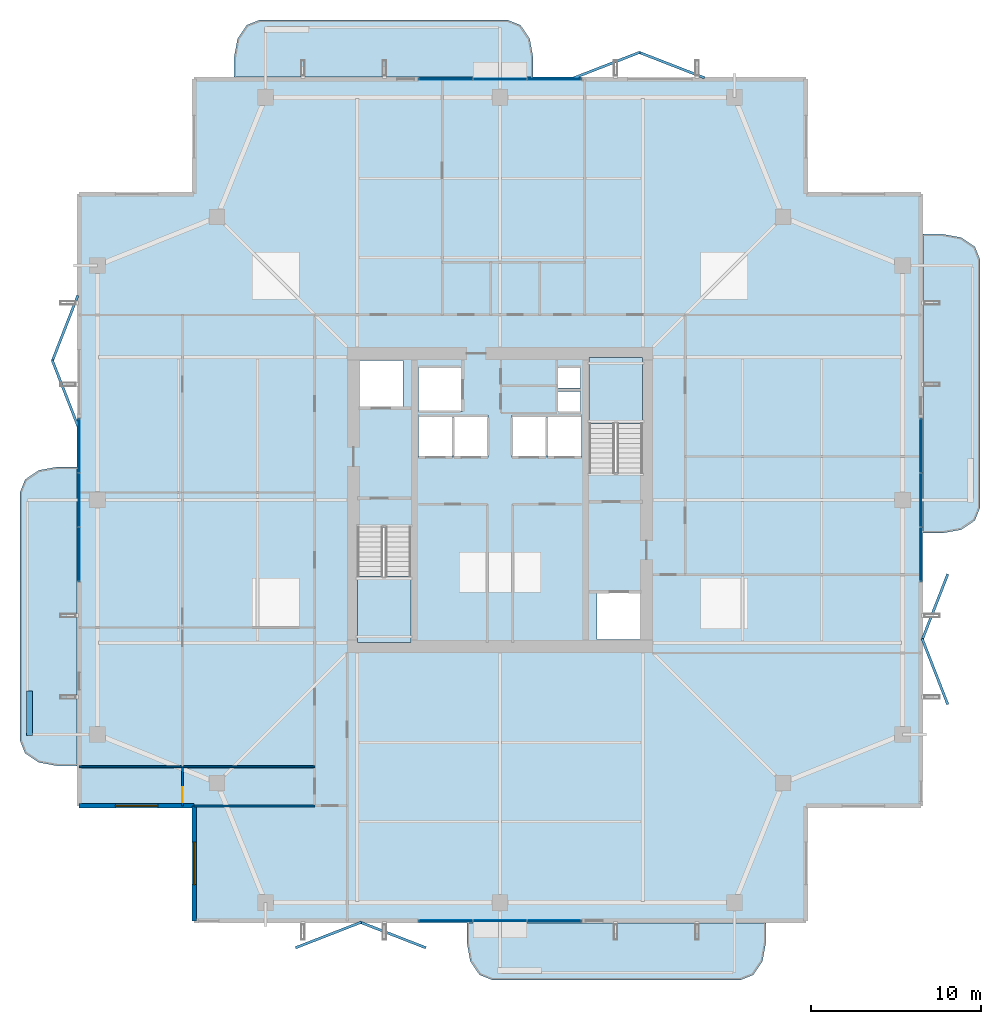
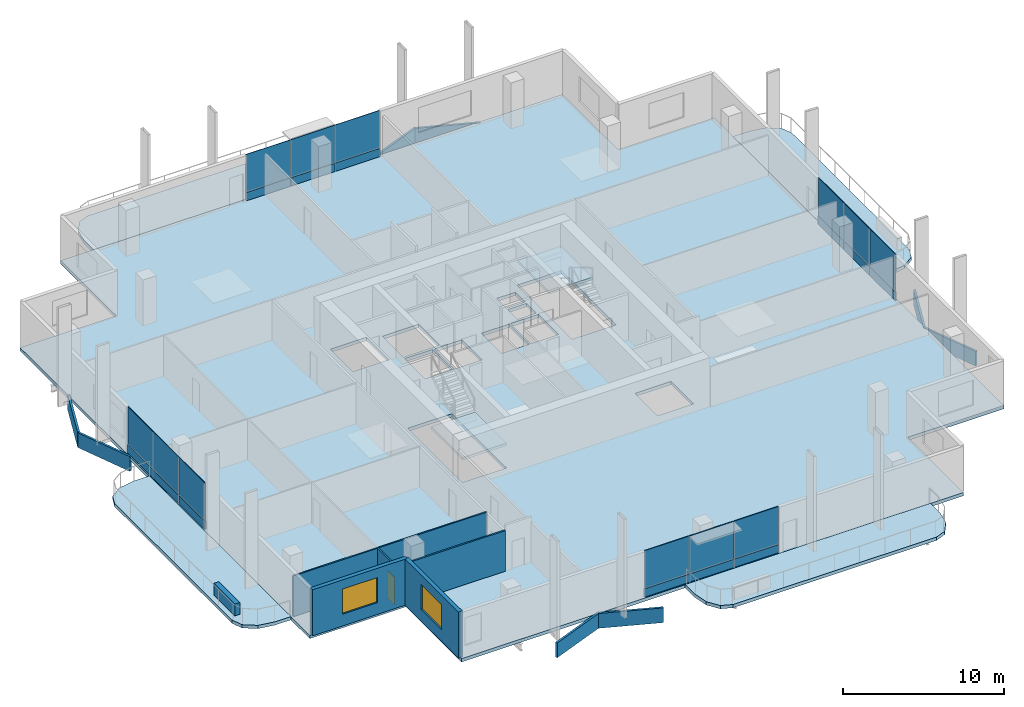
# One storey, part 17 of 25: 32 plates, 7 slabs, 6 walls, 2 windows, 1 door, 3 openings, 6 elements without a shape of their own.
"""IFC4 building model written with IfcOpenShell, lengths in metres."""

from ifc_helpers import new_model, si_unit, direction, frame, frame_2d, origin, origin_2d, place, context, subcontext, project, spatial, polyline, rectangle, outline, extrude, material, layer, layer_set, type_object, element, fill, aggregate, save


model = new_model("IFC4")

# Units and contexts
model_context = context("Model", 3, precision=1e-05, world=origin(), true_north=direction((0.0, 1.0)))
body_context = subcontext(model_context, "Body", "Model", "MODEL_VIEW")
ifc_project = project(units=[si_unit("LENGTHUNIT", "METRE"), si_unit("AREAUNIT", "SQUARE_METRE"), si_unit("VOLUMEUNIT", "CUBIC_METRE"), si_unit("PLANEANGLEUNIT", "RADIAN"), si_unit("MASSUNIT", "GRAM", prefix="KILO")], contexts=[model_context])

# Site, building, storey
site_placement = place(None, origin())
site = spatial("IfcSite", under=ifc_project, at=site_placement, CompositionType="ELEMENT")
building_placement = place(site_placement, origin())
building = spatial("IfcBuilding", under=site, at=building_placement, Name="Belovzor Exchange Tower", CompositionType="ELEMENT")
storey_placement = place(building_placement, frame((0.0, 0.0, 257.85009765625)))
storey = spatial("IfcBuildingStorey", under=building, at=storey_placement, Name="L64", CompositionType="ELEMENT", Elevation=257.85009765625)

# Slab
ifc_material_1 = material(Name="Concrete C40/50", Category="concrete")
ifc_layer_1 = layer(ifc_material_1, 0.25)
ifc_layer_set_1 = layer_set([ifc_layer_1], Name="Concrete C40/50")
slab_type_1 = type_object("IfcSlabType", Name="Composite Concrete Floor Deck Slab 250", PredefinedType="FLOOR", material=ifc_layer_set_1)
slab_1_placement = place(storey_placement, frame((0.0, 0.0, -0.25)))
element("IfcSlab", 1, at=slab_1_placement, inside=storey, type_object=slab_type_1, Name="SL-F250 Structural Slab L64", PredefinedType="FLOOR", context=body_context, shape_type="SweptSolid", body=[
    extrude(outline(polyline([(10.800048828125, 3.89990234375), (46.800048828125, 3.89990234375), (46.800048828125, 10.800048828125), (53.699951171875, 10.800048828125), (53.699951171875, 46.800048828125), (46.800048828125, 46.800048828125), (46.800048828125, 53.699951171875), (10.800048828125, 53.699951171875), (10.800048828125, 46.800048828125), (3.89990234375, 46.800048828125), (3.89990234375, 10.800048828125), (10.800048828125, 10.800048828125), (10.800048828125, 3.89990234375)]), holes=[polyline([(20.39990234375, 27.175048828125), (20.39990234375, 20.39990234375), (23.550048828125, 20.39990234375), (23.550048828125, 27.175048828125), (20.39990234375, 27.175048828125)]), polyline([(37.199951171875, 30.425048828125), (37.199951171875, 37.199951171875), (34.050048828125, 37.199951171875), (34.050048828125, 30.425048828125), (37.199951171875, 30.425048828125)]), polyline([(20.5, 34.199951171875), (23.10009765625, 34.199951171875), (23.10009765625, 37.0), (20.5, 37.0), (20.5, 34.199951171875)]), polyline([(34.5, 20.60009765625), (37.10009765625, 20.60009765625), (37.10009765625, 23.39990234375), (34.5, 23.39990234375), (34.5, 20.60009765625)]), polyline([(24.0, 34.0), (26.60009765625, 34.0), (26.60009765625, 36.60009765625), (24.0, 36.60009765625), (24.0, 34.0)]), polyline([(24.0, 31.300048828125), (26.0, 31.300048828125), (26.0, 33.800048828125), (24.0, 33.800048828125), (24.0, 31.300048828125)]), polyline([(26.10009765625, 31.300048828125), (28.10009765625, 31.300048828125), (28.10009765625, 33.800048828125), (26.10009765625, 33.800048828125), (26.10009765625, 31.300048828125)]), polyline([(29.5, 31.300048828125), (31.5, 31.300048828125), (31.5, 33.800048828125), (29.5, 33.800048828125), (29.5, 31.300048828125)]), polyline([(31.60009765625, 31.300048828125), (33.60009765625, 31.300048828125), (33.60009765625, 33.800048828125), (31.60009765625, 33.800048828125), (31.60009765625, 31.300048828125)]), polyline([(32.199951171875, 34.0), (33.550048828125, 34.0), (33.550048828125, 35.199951171875), (32.199951171875, 35.199951171875), (32.199951171875, 34.0)]), polyline([(32.199951171875, 35.39990234375), (33.550048828125, 35.39990234375), (33.550048828125, 36.60009765625), (32.199951171875, 36.60009765625), (32.199951171875, 35.39990234375)])]), origin(), (0.0, 0.0, 1.0), 0.25),
])

# Curtain wall, plates
ifc_material_2 = material(Name="Anodised Aluminium Framing", Category="aluminium")
ifc_layer_2 = layer(ifc_material_2, 0.179931640625)
ifc_layer_set_2 = layer_set([ifc_layer_2], Name="Anodised Aluminium Framing")
curtain_wall_type = type_object("IfcCurtainWallType", Name="Recessed Loggia Low-Iron Triple-Glazed Curtain Wall", PredefinedType="NOTDEFINED", material=ifc_layer_set_2)
curtain_wall_1_placement = place(storey_placement, origin())
curtain_wall_1 = element("IfcCurtainWall", 2, at=curtain_wall_1_placement, inside=storey, type_object=curtain_wall_type, Name="CW3 Recessed Loggia Low-Iron Triple-Glazed Curtain Wall L64", PredefinedType="NOTDEFINED")
ifc_material_3 = material(Name="Solar-Control Triple Glazing", Category="glass")
ifc_layer_3 = layer(ifc_material_3, 0.0439453125)
ifc_layer_set_3 = layer_set([ifc_layer_3], Name="Solar-Control Triple Glazing")
plate_type_1 = type_object("IfcPlateType", Name="Insulated Solar Glazing Curtain Panel 44", PredefinedType="CURTAIN_PANEL", material=ifc_layer_set_3)
plate_1_placement = place(storey_placement, frame((32.0, 4.030029296875, 0.6318359375), z_axis=(0.0, 0.0, 1.0), x_axis=(-1.0, 0.0, 0.0)))
plate_1 = element("IfcPlate", 3, at=plate_1_placement, type_object=plate_type_1, Name="GLZ-44 Glazed Curtain Panel 1", PredefinedType="CURTAIN_PANEL", context=body_context, shape_type="SweptSolid", body=[
    extrude(rectangle(XDim=3.18408203125, YDim=0.0439453125, at=origin_2d()), origin(), (0.0, 0.0, 1.0), 2.867919921875),
])
plate_2_placement = place(storey_placement, frame((28.800048828125, 4.030029296875, 0.6318359375), z_axis=(0.0, 0.0, 1.0), x_axis=(-1.0, 0.0, 0.0)))
plate_2 = element("IfcPlate", 4, at=plate_2_placement, type_object=plate_type_1, Name="GLZ-44 Glazed Curtain Panel 2", PredefinedType="CURTAIN_PANEL", context=body_context, shape_type="SweptSolid", body=[
    extrude(rectangle(XDim=3.18408203125, YDim=0.0439453125, at=origin_2d()), origin(), (0.0, 0.0, 1.0), 2.867919921875),
])
plate_3_placement = place(storey_placement, frame((25.60009765625, 4.030029296875, 0.6318359375), z_axis=(0.0, 0.0, 1.0), x_axis=(-1.0, 0.0, 0.0)))
plate_3 = element("IfcPlate", 5, at=plate_3_placement, type_object=plate_type_1, Name="GLZ-44 Glazed Curtain Panel 3", PredefinedType="CURTAIN_PANEL", context=body_context, shape_type="SweptSolid", body=[
    extrude(rectangle(XDim=3.18408203125, YDim=0.0439453125, at=origin_2d()), origin(), (0.0, 0.0, 1.0), 2.867919921875),
])

curtain_wall_2_placement = place(storey_placement, origin())
curtain_wall_2 = element("IfcCurtainWall", 6, at=curtain_wall_2_placement, inside=storey, type_object=curtain_wall_type, Name="CW3 Recessed Loggia Low-Iron Triple-Glazed Curtain Wall L64", PredefinedType="NOTDEFINED")
plate_4_placement = place(storey_placement, frame((25.60009765625, 53.570068359375, 0.6318359375), z_axis=(0.0, 0.0, 1.0), x_axis=(1.0, 0.0, 0.0)))
plate_4 = element("IfcPlate", 7, at=plate_4_placement, type_object=plate_type_1, Name="GLZ-44 Glazed Curtain Panel 1", PredefinedType="CURTAIN_PANEL", context=body_context, shape_type="SweptSolid", body=[
    extrude(rectangle(XDim=3.18408203125, YDim=0.0439453125, at=origin_2d()), origin(), (0.0, 0.0, 1.0), 2.867919921875),
])
plate_5_placement = place(storey_placement, frame((28.800048828125, 53.570068359375, 0.6318359375), z_axis=(0.0, 0.0, 1.0), x_axis=(1.0, 0.0, 0.0)))
plate_5 = element("IfcPlate", 8, at=plate_5_placement, type_object=plate_type_1, Name="GLZ-44 Glazed Curtain Panel 2", PredefinedType="CURTAIN_PANEL", context=body_context, shape_type="SweptSolid", body=[
    extrude(rectangle(XDim=3.18408203125, YDim=0.0439453125, at=origin_2d()), origin(), (0.0, 0.0, 1.0), 2.867919921875),
])
plate_6_placement = place(storey_placement, frame((32.0, 53.570068359375, 0.6318359375), z_axis=(0.0, 0.0, 1.0), x_axis=(1.0, 0.0, 0.0)))
plate_6 = element("IfcPlate", 9, at=plate_6_placement, type_object=plate_type_1, Name="GLZ-44 Glazed Curtain Panel 3", PredefinedType="CURTAIN_PANEL", context=body_context, shape_type="SweptSolid", body=[
    extrude(rectangle(XDim=3.18408203125, YDim=0.0439453125, at=origin_2d()), origin(), (0.0, 0.0, 1.0), 2.867919921875),
])

curtain_wall_3_placement = place(storey_placement, origin())
curtain_wall_3 = element("IfcCurtainWall", 10, at=curtain_wall_3_placement, inside=storey, type_object=curtain_wall_type, Name="CW3 Recessed Loggia Low-Iron Triple-Glazed Curtain Wall L64", PredefinedType="NOTDEFINED")
plate_7_placement = place(storey_placement, frame((4.030029296875, 25.60009765625, 0.6318359375), z_axis=(0.0, 0.0, 1.0), x_axis=(0.0, 1.0, 0.0)))
plate_7 = element("IfcPlate", 11, at=plate_7_placement, type_object=plate_type_1, Name="GLZ-44 Glazed Curtain Panel 1", PredefinedType="CURTAIN_PANEL", context=body_context, shape_type="SweptSolid", body=[
    extrude(rectangle(XDim=3.18408203125, YDim=0.0439453125, at=origin_2d()), origin(), (0.0, 0.0, 1.0), 2.867919921875),
])
plate_8_placement = place(storey_placement, frame((4.030029296875, 28.800048828125, 0.6318359375), z_axis=(0.0, 0.0, 1.0), x_axis=(0.0, 1.0, 0.0)))
plate_8 = element("IfcPlate", 12, at=plate_8_placement, type_object=plate_type_1, Name="GLZ-44 Glazed Curtain Panel 2", PredefinedType="CURTAIN_PANEL", context=body_context, shape_type="SweptSolid", body=[
    extrude(rectangle(XDim=3.18408203125, YDim=0.0439453125, at=origin_2d()), origin(), (0.0, 0.0, 1.0), 2.867919921875),
])
plate_9_placement = place(storey_placement, frame((4.030029296875, 32.0, 0.6318359375), z_axis=(0.0, 0.0, 1.0), x_axis=(0.0, 1.0, 0.0)))
plate_9 = element("IfcPlate", 13, at=plate_9_placement, type_object=plate_type_1, Name="GLZ-44 Glazed Curtain Panel 3", PredefinedType="CURTAIN_PANEL", context=body_context, shape_type="SweptSolid", body=[
    extrude(rectangle(XDim=3.18408203125, YDim=0.0439453125, at=origin_2d()), origin(), (0.0, 0.0, 1.0), 2.867919921875),
])

curtain_wall_4_placement = place(storey_placement, origin())
curtain_wall_4 = element("IfcCurtainWall", 14, at=curtain_wall_4_placement, inside=storey, type_object=curtain_wall_type, Name="CW3 Recessed Loggia Low-Iron Triple-Glazed Curtain Wall L64", PredefinedType="NOTDEFINED")
plate_10_placement = place(storey_placement, frame((53.570068359375, 32.0, 0.6318359375), z_axis=(0.0, 0.0, 1.0), x_axis=(0.0, -1.0, 0.0)))
plate_10 = element("IfcPlate", 15, at=plate_10_placement, type_object=plate_type_1, Name="GLZ-44 Glazed Curtain Panel 1", PredefinedType="CURTAIN_PANEL", context=body_context, shape_type="SweptSolid", body=[
    extrude(rectangle(XDim=3.18408203125, YDim=0.0439453125, at=origin_2d()), origin(), (0.0, 0.0, 1.0), 2.867919921875),
])
plate_11_placement = place(storey_placement, frame((53.570068359375, 28.800048828125, 0.6318359375), z_axis=(0.0, 0.0, 1.0), x_axis=(0.0, -1.0, 0.0)))
plate_11 = element("IfcPlate", 16, at=plate_11_placement, type_object=plate_type_1, Name="GLZ-44 Glazed Curtain Panel 2", PredefinedType="CURTAIN_PANEL", context=body_context, shape_type="SweptSolid", body=[
    extrude(rectangle(XDim=3.18408203125, YDim=0.0439453125, at=origin_2d()), origin(), (0.0, 0.0, 1.0), 2.867919921875),
])
plate_12_placement = place(storey_placement, frame((53.570068359375, 25.60009765625, 0.6318359375), z_axis=(0.0, 0.0, 1.0), x_axis=(0.0, -1.0, 0.0)))
plate_12 = element("IfcPlate", 17, at=plate_12_placement, type_object=plate_type_1, Name="GLZ-44 Glazed Curtain Panel 3", PredefinedType="CURTAIN_PANEL", context=body_context, shape_type="SweptSolid", body=[
    extrude(rectangle(XDim=3.18408203125, YDim=0.0439453125, at=origin_2d()), origin(), (0.0, 0.0, 1.0), 2.867919921875),
])

# Stair, slab
ifc_material_4 = material(Name="Concrete C40/50", Category="concrete")
stair_type = type_object("IfcStairType", Name="Reinforced Concrete Dogleg Escape Stair 1350", PredefinedType="HALF_TURN_STAIR", material=ifc_material_4)
stair_1_placement = place(storey_placement, origin())
stair_1 = element("IfcStair", 18, at=stair_1_placement, inside=storey, type_object=stair_type, Name="L64 ST-1", PredefinedType="HALF_TURN_STAIR")
ifc_material_5 = material(Name="Concrete C40/50", Category="concrete")
ifc_layer_4 = layer(ifc_material_5, 0.199951171875)
ifc_layer_set_4 = layer_set([ifc_layer_4], Name="Concrete C40/50")
slab_type_2 = type_object("IfcSlabType", Name="Reinforced Concrete Stair Half-Landing Slab 200", PredefinedType="LANDING", material=ifc_layer_set_4)
slab_2_placement = place(storey_placement, frame((0.0, 0.0, 1.6748046875)))
slab_2 = element("IfcSlab", 19, at=slab_2_placement, type_object=slab_type_2, Name="ST-1 landing 1", PredefinedType="LANDING", context=body_context, shape_type="SweptSolid", body=[
    extrude(outline(polyline([(20.39990234375, 24.300048828125), (20.39990234375, 20.39990234375), (23.550048828125, 20.39990234375), (23.550048828125, 24.300048828125), (20.39990234375, 24.300048828125)])), origin(), (0.0, 0.0, 1.0), 0.2001953125),
])
aggregate(stair_1, [slab_2])

stair_2_placement = place(storey_placement, origin())
stair_2 = element("IfcStair", 20, at=stair_2_placement, inside=storey, type_object=stair_type, Name="L64 ST-2", PredefinedType="HALF_TURN_STAIR")
slab_3_placement = place(storey_placement, frame((0.0, 0.0, 1.6748046875)))
slab_3 = element("IfcSlab", 21, at=slab_3_placement, type_object=slab_type_2, Name="ST-2 landing 1", PredefinedType="LANDING", context=body_context, shape_type="SweptSolid", body=[
    extrude(outline(polyline([(37.199951171875, 33.300048828125), (37.199951171875, 37.199951171875), (34.050048828125, 37.199951171875), (34.050048828125, 33.300048828125), (37.199951171875, 33.300048828125)])), origin(), (0.0, 0.0, 1.0), 0.2001953125),
])
aggregate(stair_2, [slab_3])

# Plate
ifc_material_6 = material(Name="Extruded Architectural Terracotta", Category="masonry")
ifc_layer_5 = layer(ifc_material_6, 0.090087890625)
ifc_layer_set_5 = layer_set([ifc_layer_5], Name="Extruded Architectural Terracotta")
plate_type_2 = type_object("IfcPlateType", Name="Terracotta Shadow-Box Spandrel Panel 90", PredefinedType="CURTAIN_PANEL", material=ifc_layer_set_5)
plate_13_placement = place(storey_placement, frame((32.0, 4.030029296875, 0.0), z_axis=(0.0, 0.0, 1.0), x_axis=(-1.0, 0.0, 0.0)))
plate_13 = element("IfcPlate", 22, at=plate_13_placement, type_object=plate_type_2, Name="SPD-90 Spandrel Panel 1", PredefinedType="CURTAIN_PANEL", context=body_context, shape_type="SweptSolid", body=[
    extrude(rectangle(XDim=3.18408203125, YDim=0.090087890625, at=origin_2d()), origin(), (0.0, 0.0, 1.0), 0.6279296875),
])

plate_14_placement = place(storey_placement, frame((28.800048828125, 4.030029296875, 0.0), z_axis=(0.0, 0.0, 1.0), x_axis=(-1.0, 0.0, 0.0)))
plate_14 = element("IfcPlate", 23, at=plate_14_placement, type_object=plate_type_2, Name="SPD-90 Spandrel Panel 2", PredefinedType="CURTAIN_PANEL", context=body_context, shape_type="SweptSolid", body=[
    extrude(rectangle(XDim=3.18408203125, YDim=0.090087890625, at=origin_2d()), origin(), (0.0, 0.0, 1.0), 0.6279296875),
])

plate_15_placement = place(storey_placement, frame((25.60009765625, 4.030029296875, 0.0), z_axis=(0.0, 0.0, 1.0), x_axis=(-1.0, 0.0, 0.0)))
plate_15 = element("IfcPlate", 24, at=plate_15_placement, type_object=plate_type_2, Name="SPD-90 Spandrel Panel 3", PredefinedType="CURTAIN_PANEL", context=body_context, shape_type="SweptSolid", body=[
    extrude(rectangle(XDim=3.18408203125, YDim=0.090087890625, at=origin_2d()), origin(), (0.0, 0.0, 1.0), 0.6279296875),
])

aggregate(curtain_wall_1, [plate_13, plate_1, plate_14, plate_2, plate_15, plate_3])

plate_16_placement = place(storey_placement, frame((25.60009765625, 53.570068359375, 0.0), z_axis=(0.0, 0.0, 1.0), x_axis=(1.0, 0.0, 0.0)))
plate_16 = element("IfcPlate", 25, at=plate_16_placement, type_object=plate_type_2, Name="SPD-90 Spandrel Panel 1", PredefinedType="CURTAIN_PANEL", context=body_context, shape_type="SweptSolid", body=[
    extrude(rectangle(XDim=3.18408203125, YDim=0.090087890625, at=origin_2d()), origin(), (0.0, 0.0, 1.0), 0.6279296875),
])

plate_17_placement = place(storey_placement, frame((28.800048828125, 53.570068359375, 0.0), z_axis=(0.0, 0.0, 1.0), x_axis=(1.0, 0.0, 0.0)))
plate_17 = element("IfcPlate", 26, at=plate_17_placement, type_object=plate_type_2, Name="SPD-90 Spandrel Panel 2", PredefinedType="CURTAIN_PANEL", context=body_context, shape_type="SweptSolid", body=[
    extrude(rectangle(XDim=3.18408203125, YDim=0.090087890625, at=origin_2d()), origin(), (0.0, 0.0, 1.0), 0.6279296875),
])

plate_18_placement = place(storey_placement, frame((32.0, 53.570068359375, 0.0), z_axis=(0.0, 0.0, 1.0), x_axis=(1.0, 0.0, 0.0)))
plate_18 = element("IfcPlate", 27, at=plate_18_placement, type_object=plate_type_2, Name="SPD-90 Spandrel Panel 3", PredefinedType="CURTAIN_PANEL", context=body_context, shape_type="SweptSolid", body=[
    extrude(rectangle(XDim=3.18408203125, YDim=0.090087890625, at=origin_2d()), origin(), (0.0, 0.0, 1.0), 0.6279296875),
])

aggregate(curtain_wall_2, [plate_16, plate_4, plate_17, plate_5, plate_18, plate_6])

plate_19_placement = place(storey_placement, frame((4.030029296875, 25.60009765625, 0.0), z_axis=(0.0, 0.0, 1.0), x_axis=(0.0, 1.0, 0.0)))
plate_19 = element("IfcPlate", 28, at=plate_19_placement, type_object=plate_type_2, Name="SPD-90 Spandrel Panel 1", PredefinedType="CURTAIN_PANEL", context=body_context, shape_type="SweptSolid", body=[
    extrude(rectangle(XDim=3.18408203125, YDim=0.090087890625, at=origin_2d()), origin(), (0.0, 0.0, 1.0), 0.6279296875),
])

plate_20_placement = place(storey_placement, frame((4.030029296875, 28.800048828125, 0.0), z_axis=(0.0, 0.0, 1.0), x_axis=(0.0, 1.0, 0.0)))
plate_20 = element("IfcPlate", 29, at=plate_20_placement, type_object=plate_type_2, Name="SPD-90 Spandrel Panel 2", PredefinedType="CURTAIN_PANEL", context=body_context, shape_type="SweptSolid", body=[
    extrude(rectangle(XDim=3.18408203125, YDim=0.090087890625, at=origin_2d()), origin(), (0.0, 0.0, 1.0), 0.6279296875),
])

plate_21_placement = place(storey_placement, frame((4.030029296875, 32.0, 0.0), z_axis=(0.0, 0.0, 1.0), x_axis=(0.0, 1.0, 0.0)))
plate_21 = element("IfcPlate", 30, at=plate_21_placement, type_object=plate_type_2, Name="SPD-90 Spandrel Panel 3", PredefinedType="CURTAIN_PANEL", context=body_context, shape_type="SweptSolid", body=[
    extrude(rectangle(XDim=3.18408203125, YDim=0.090087890625, at=origin_2d()), origin(), (0.0, 0.0, 1.0), 0.6279296875),
])

aggregate(curtain_wall_3, [plate_19, plate_7, plate_20, plate_8, plate_21, plate_9])

plate_22_placement = place(storey_placement, frame((53.570068359375, 32.0, 0.0), z_axis=(0.0, 0.0, 1.0), x_axis=(0.0, -1.0, 0.0)))
plate_22 = element("IfcPlate", 31, at=plate_22_placement, type_object=plate_type_2, Name="SPD-90 Spandrel Panel 1", PredefinedType="CURTAIN_PANEL", context=body_context, shape_type="SweptSolid", body=[
    extrude(rectangle(XDim=3.18408203125, YDim=0.090087890625, at=origin_2d()), origin(), (0.0, 0.0, 1.0), 0.6279296875),
])

plate_23_placement = place(storey_placement, frame((53.570068359375, 28.800048828125, 0.0), z_axis=(0.0, 0.0, 1.0), x_axis=(0.0, -1.0, 0.0)))
plate_23 = element("IfcPlate", 32, at=plate_23_placement, type_object=plate_type_2, Name="SPD-90 Spandrel Panel 2", PredefinedType="CURTAIN_PANEL", context=body_context, shape_type="SweptSolid", body=[
    extrude(rectangle(XDim=3.18408203125, YDim=0.090087890625, at=origin_2d()), origin(), (0.0, 0.0, 1.0), 0.6279296875),
])

plate_24_placement = place(storey_placement, frame((53.570068359375, 25.60009765625, 0.0), z_axis=(0.0, 0.0, 1.0), x_axis=(0.0, -1.0, 0.0)))
plate_24 = element("IfcPlate", 33, at=plate_24_placement, type_object=plate_type_2, Name="SPD-90 Spandrel Panel 3", PredefinedType="CURTAIN_PANEL", context=body_context, shape_type="SweptSolid", body=[
    extrude(rectangle(XDim=3.18408203125, YDim=0.090087890625, at=origin_2d()), origin(), (0.0, 0.0, 1.0), 0.6279296875),
])

aggregate(curtain_wall_4, [plate_22, plate_10, plate_23, plate_11, plate_24, plate_12])

# Slabs
ifc_material_7 = material(Name="Concrete C40/50", Category="concrete")
ifc_layer_6 = layer(ifc_material_7, 0.25)
ifc_layer_set_6 = layer_set([ifc_layer_6], Name="Concrete C40/50")
slab_type_3 = type_object("IfcSlabType", Name="Thermally Broken Planted Balcony Slab 250", PredefinedType="FLOOR", material=ifc_layer_set_6)
slab_4_placement = place(storey_placement, frame((0.0, 0.0, -0.25)))
element("IfcSlab", 34, at=slab_4_placement, inside=storey, type_object=slab_type_3, Name="SL-BAL220 Planted Balcony Loggia L64 South", PredefinedType="FLOOR", context=body_context, shape_type="SweptSolid", body=[
    extrude(outline(polyline([(26.85009765625, 3.9150390625), (26.85009765625, 2.75), (27.051025390625, 1.64990234375), (27.60009765625, 0.844970703125), (28.35009765625, 0.550048828125), (42.949951171875, 0.550048828125), (43.699951171875, 0.844970703125), (44.2490234375, 1.64990234375), (44.449951171875, 2.75), (44.449951171875, 3.9150390625), (26.85009765625, 3.9150390625)])), origin(), (0.0, 0.0, 1.0), 0.25),
])
slab_5_placement = place(storey_placement, frame((0.0, 0.0, -0.25)))
element("IfcSlab", 35, at=slab_5_placement, inside=storey, type_object=slab_type_3, Name="SL-BAL220 Planted Balcony Loggia L64 North", PredefinedType="FLOOR", context=body_context, shape_type="SweptSolid", body=[
    extrude(outline(polyline([(30.75, 53.68505859375), (30.75, 54.85009765625), (30.549072265625, 55.949951171875), (30.0, 56.7548828125), (29.25, 57.050048828125), (14.64990234375, 57.050048828125), (13.89990234375, 56.7548828125), (13.35107421875, 55.949951171875), (13.14990234375, 54.85009765625), (13.14990234375, 53.68505859375), (30.75, 53.68505859375)])), origin(), (0.0, 0.0, 1.0), 0.25),
])
slab_6_placement = place(storey_placement, frame((0.0, 0.0, -0.25)))
element("IfcSlab", 36, at=slab_6_placement, inside=storey, type_object=slab_type_3, Name="SL-BAL220 Planted Balcony Loggia L64 East", PredefinedType="FLOOR", context=body_context, shape_type="SweptSolid", body=[
    extrude(outline(polyline([(53.68505859375, 26.85009765625), (54.85009765625, 26.85009765625), (55.949951171875, 27.051025390625), (56.7548828125, 27.60009765625), (57.050048828125, 28.35009765625), (57.050048828125, 42.949951171875), (56.7548828125, 43.699951171875), (55.949951171875, 44.2490234375), (54.85009765625, 44.449951171875), (53.68505859375, 44.449951171875), (53.68505859375, 26.85009765625)])), origin(), (0.0, 0.0, 1.0), 0.25),
])
slab_7_placement = place(storey_placement, frame((0.0, 0.0, -0.25)))
element("IfcSlab", 37, at=slab_7_placement, inside=storey, type_object=slab_type_3, Name="SL-BAL220 Planted Balcony Loggia L64 West", PredefinedType="FLOOR", context=body_context, shape_type="SweptSolid", body=[
    extrude(outline(polyline([(3.9150390625, 30.75), (2.75, 30.75), (1.64990234375, 30.549072265625), (0.844970703125, 30.0), (0.550048828125, 29.25), (0.550048828125, 14.64990234375), (0.844970703125, 13.89990234375), (1.64990234375, 13.35107421875), (2.75, 13.14990234375), (3.9150390625, 13.14990234375), (3.9150390625, 30.75)])), origin(), (0.0, 0.0, 1.0), 0.25),
])

# Plates
ifc_material_8 = material(Name="Extruded Architectural Terracotta", Category="masonry")
ifc_layer_7 = layer(ifc_material_8, 0.14990234375)
ifc_layer_set_7 = layer_set([ifc_layer_7], Name="Extruded Architectural Terracotta")
plate_type_3 = type_object("IfcPlateType", Name="Upper-Crown Deep Folded Zigzag Terracotta Spandrel Louvre 150", PredefinedType="USERDEFINED", material=ifc_layer_set_7)
for number, where, z_axis, x_axis, name in (
    (38, (18.699951171875, 3.199951171875, -1.105224609375), (0.0, 0.0, 1.0), (0.931817969421, 0.362925986758, 0.0), "LVR-ZZ3 Zigzag Terracotta Spandrel Louvre L64 S1A"),
    (39, (22.5, 3.199951171875, -1.105224609375), (0.0, 0.0, 1.0), (0.931817969421, -0.362925986758, 0.0), "LVR-ZZ3 Zigzag Terracotta Spandrel Louvre L64 S1B"),
    (40, (54.39990234375, 18.699951171875, -1.105224609375), (0.0, 0.0, 1.0), (-0.362925986758, 0.931817969421, 0.0), "LVR-ZZ3 Zigzag Terracotta Spandrel Louvre L64 E1A"),
    (41, (54.39990234375, 22.5, -1.105224609375), (0.0, 0.0, 1.0), (0.362925986758, 0.931817969421, 0.0), "LVR-ZZ3 Zigzag Terracotta Spandrel Louvre L64 E1B"),
    (42, (35.10009765625, 54.39990234375, -1.105224609375), (0.0, 0.0, 1.0), (0.931817969421, 0.362925986758, 0.0), "LVR-ZZ3 Zigzag Terracotta Spandrel Louvre L64 N2A"),
    (43, (38.89990234375, 54.39990234375, -1.105224609375), (0.0, 0.0, 1.0), (0.931817969421, -0.362925986758, 0.0), "LVR-ZZ3 Zigzag Terracotta Spandrel Louvre L64 N2B"),
    (44, (3.199951171875, 35.10009765625, -1.105224609375), (0.0, 0.0, 1.0), (-0.362925986758, 0.931817969421, 0.0), "LVR-ZZ3 Zigzag Terracotta Spandrel Louvre L64 W2A"),
    (45, (3.199951171875, 38.89990234375, -1.105224609375), (0.0, 0.0, 1.0), (0.362925986758, 0.931817969421, 0.0), "LVR-ZZ3 Zigzag Terracotta Spandrel Louvre L64 W2B"),
):
    element("IfcPlate", number, at=place(storey_placement, frame(where, z_axis=z_axis, x_axis=x_axis)), inside=storey, type_object=plate_type_3, Name=name, ObjectType="SPANDREL_LOUVRE", PredefinedType="USERDEFINED", context=body_context, shape_type="SweptSolid", body=[
        extrude(rectangle(XDim=4.157958984375, YDim=0.14990234375, at=origin_2d()), origin(), (0.0, 0.0, 1.0), 1.1201171875),
    ])

# Wall
ifc_material_9 = material(Name="Acoustic Plasterboard on Galvanised Studs", Category="gypsum")
ifc_layer_8 = layer(ifc_material_9, 0.1201171875)
ifc_layer_set_8 = layer_set([ifc_layer_8], Name="Acoustic Plasterboard on Galvanised Studs")
wall_type_1 = type_object("IfcWallType", Name="Acoustic Double-Stud Partition Wall 120", PredefinedType="PARTITIONING", material=ifc_layer_set_8)
wall_1_placement = place(storey_placement, frame((10.800048828125, 10.800048828125, 0.0), z_axis=(0.0, 0.0, 1.0), x_axis=(1.0, 0.0, 0.0)))
element("IfcWall", 46, at=wall_1_placement, inside=storey, type_object=wall_type_1, Name="W-P120 Partition Wall W-L64-SWS", PredefinedType="PARTITIONING", context=body_context, shape_type="SweptSolid", body=[
    extrude(rectangle(XDim=7.099853515625, YDim=0.1201171875, at=frame_2d((3.5498046875, 0.0))), origin(), (0.0, 0.0, 1.0), 3.0849609375),
])

# Wall, opening, door
ifc_material_10 = material(Name="Acoustic Laminated Glass and Aluminium", Category="aluminium")
ifc_layer_9 = layer(ifc_material_10, 0.10009765625)
ifc_layer_set_9 = layer_set([ifc_layer_9], Name="Acoustic Laminated Glass and Aluminium")
wall_type_2 = type_object("IfcWallType", Name="Demountable Executive Glass Partition 100", PredefinedType="MOVABLE", material=ifc_layer_set_9)
wall_2_placement = place(storey_placement, frame((10.114990234375, 10.800048828125, 0.0), z_axis=(0.0, 0.0, 1.0), x_axis=(0.0, 1.0, 0.0)))
wall_2 = element("IfcWall", 47, at=wall_2_placement, inside=storey, type_object=wall_type_2, Name="W-M100 Partition Wall W-L64-WHDIV-0", PredefinedType="MOVABLE", context=body_context, shape_type="SweptSolid", body=[
    extrude(rectangle(XDim=2.300048828125, YDim=0.10009765625, at=frame_2d((1.14990234375, 0.0))), origin(), (0.0, 0.0, 1.0), 3.0849609375),
])
opening_1_placement = place(wall_2_placement, frame((0.199951171875, 0.0, 0.0)))
opening_1 = element("IfcOpeningElement", 48, at=opening_1_placement, cuts=wall_2, Name="Opening D-INT-090", PredefinedType="OPENING", context=body_context, shape_type="SweptSolid", body=[
    extrude(rectangle(XDim=0.89990234375, YDim=2.10009765625, at=frame_2d((0.449951171875, 1.050048828125))), frame((0.0, 0.06005859375, 0.0), z_axis=(0.0, -1.0, 0.0), x_axis=(1.0, 0.0, 0.0)), (0.0, 0.0, 1.0), 0.1201171875),
])
ifc_material_11 = material(Name="Veneered Hardwood Acoustic Leaf", Category="wood")
door_type = type_object("IfcDoorType", Name="Trading Suite Acoustic Single Door 900x2100", OperationType="NOTDEFINED", PredefinedType="DOOR", material=ifc_material_11)
door_placement = place(opening_1_placement, origin())
door = element("IfcDoor", 49, at=door_placement, inside=storey, type_object=door_type, Name="D-INT-090 Trading Suite Acoustic Single Door 900x2100", OperationType="SINGLE_SWING_LEFT", OverallHeight=2.10009765625, OverallWidth=0.89990234375, PredefinedType="DOOR", context=body_context, shape_type="SweptSolid", body=[
    extrude(rectangle(XDim=0.89990234375, YDim=2.10009765625, at=frame_2d((0.449951171875, 1.050048828125))), frame((0.0, 0.02490234375, 0.0), z_axis=(0.0, -1.0, 0.0), x_axis=(1.0, 0.0, 0.0)), (0.0, 0.0, 1.0), 0.050048828125),
])
fill(opening_1, door)

# Wall
wall_3_placement = place(storey_placement, frame((4.030029296875, 13.10009765625, 0.0), z_axis=(0.0, 0.0, 1.0), x_axis=(1.0, 0.0, 0.0)))
element("IfcWall", 50, at=wall_3_placement, inside=storey, type_object=wall_type_2, Name="W-M100 Partition Wall W-L64-WDIV-1", PredefinedType="MOVABLE", context=body_context, shape_type="SweptSolid", body=[
    extrude(rectangle(XDim=13.869873046875, YDim=0.10009765625, at=frame_2d((6.93505859375, 0.0))), origin(), (0.0, 0.0, 1.0), 3.0849609375),
])

# Wall, opening, window
ifc_material_12 = material(Name="Precast concrete C40/50", Category="concrete")
ifc_layer_10 = layer(ifc_material_12, 0.280029296875)
ifc_layer_set_10 = layer_set([ifc_layer_10], Name="Precast concrete C40/50")
wall_type_3 = type_object("IfcWallType", Name="Precast Concrete Notched Corner Frame Wall 280", PredefinedType="SOLIDWALL", material=ifc_layer_set_10)
wall_4_placement = place(storey_placement, frame((10.800048828125, 4.030029296875, 0.0), z_axis=(0.0, 0.0, 1.0), x_axis=(0.0, 1.0, 0.0)))
wall_4 = element("IfcWall", 51, at=wall_4_placement, inside=storey, type_object=wall_type_3, Name="W-CRN280 Precast Concrete Notched Corner Frame Wall 280 L64", PredefinedType="SOLIDWALL", context=body_context, shape_type="SweptSolid", body=[
    extrude(rectangle(XDim=6.77001953125, YDim=0.280029296875, at=frame_2d((3.385009765625, 0.0))), origin(), (0.0, 0.0, 1.0), 3.5),
])
opening_2_placement = place(wall_4_placement, frame((2.135009765625, 0.0, 0.89990234375)))
opening_2 = element("IfcOpeningElement", 52, at=opening_2_placement, cuts=wall_4, Name="Opening WN-CRN250", PredefinedType="OPENING", context=body_context, shape_type="SweptSolid", body=[
    extrude(rectangle(XDim=2.5, YDim=1.89990234375, at=frame_2d((1.25, 0.949951171875))), frame((0.0, 0.14990234375, 0.0), z_axis=(0.0, -1.0, 0.0), x_axis=(1.0, 0.0, 0.0)), (0.0, 0.0, 1.0), 0.300048828125),
])
ifc_material_13 = material(Name="Thermally Broken Aluminium and Triple Glazing", Category="aluminium")
window_type = type_object("IfcWindowType", Name="Streamline Moderne Corner Wrap Ribbon Window 2500x1900", PartitioningType="SINGLE_PANEL", PredefinedType="WINDOW", material=ifc_material_13)
window_1_placement = place(opening_2_placement, origin())
window_1 = element("IfcWindow", 53, at=window_1_placement, inside=storey, type_object=window_type, Name="WN-CRN250 Streamline Moderne Corner Wrap Ribbon Window 2500x1900", OverallHeight=1.89990234375, OverallWidth=2.5, PartitioningType="SINGLE_PANEL", PredefinedType="WINDOW", context=body_context, shape_type="SweptSolid", body=[
    extrude(rectangle(XDim=2.5, YDim=1.89990234375, at=frame_2d((1.25, 0.949951171875))), frame((0.0, 0.030029296875, 0.0), z_axis=(0.0, -1.0, 0.0), x_axis=(1.0, 0.0, 0.0)), (0.0, 0.0, 1.0), 0.06005859375),
])
fill(opening_2, window_1)

wall_5_placement = place(storey_placement, frame((10.800048828125, 10.800048828125, 0.0), z_axis=(0.0, 0.0, 1.0), x_axis=(-1.0, 0.0, 0.0)))
wall_5 = element("IfcWall", 54, at=wall_5_placement, inside=storey, type_object=wall_type_3, Name="W-CRN280 Precast Concrete Notched Corner Frame Wall 280 L64", PredefinedType="SOLIDWALL", context=body_context, shape_type="SweptSolid", body=[
    extrude(rectangle(XDim=6.77001953125, YDim=0.280029296875, at=frame_2d((3.385009765625, 0.0))), origin(), (0.0, 0.0, 1.0), 3.5),
])
opening_3_placement = place(wall_5_placement, frame((2.135009765625, 0.0, 0.89990234375)))
opening_3 = element("IfcOpeningElement", 55, at=opening_3_placement, cuts=wall_5, Name="Opening WN-CRN250", PredefinedType="OPENING", context=body_context, shape_type="SweptSolid", body=[
    extrude(rectangle(XDim=2.5, YDim=1.89990234375, at=frame_2d((1.25, 0.949951171875))), frame((0.0, 0.14990234375, 0.0), z_axis=(0.0, -1.0, 0.0), x_axis=(1.0, 0.0, 0.0)), (0.0, 0.0, 1.0), 0.300048828125),
])
window_2_placement = place(opening_3_placement, origin())
window_2 = element("IfcWindow", 56, at=window_2_placement, inside=storey, type_object=window_type, Name="WN-CRN250 Streamline Moderne Corner Wrap Ribbon Window 2500x1900", OverallHeight=1.89990234375, OverallWidth=2.5, PartitioningType="SINGLE_PANEL", PredefinedType="WINDOW", context=body_context, shape_type="SweptSolid", body=[
    extrude(rectangle(XDim=2.5, YDim=1.89990234375, at=frame_2d((1.25, 0.949951171875))), frame((0.0, 0.030029296875, 0.0), z_axis=(0.0, -1.0, 0.0), x_axis=(1.0, 0.0, 0.0)), (0.0, 0.0, 1.0), 0.06005859375),
])
fill(opening_3, window_2)

# Wall
ifc_material_14 = material(Name="Precast concrete C40/50", Category="concrete")
ifc_layer_11 = layer(ifc_material_14, 0.35009765625)
ifc_layer_set_11 = layer_set([ifc_layer_11], Name="Precast concrete C40/50")
wall_type_4 = type_object("IfcWallType", Name="Precast Concrete Structural Tree Planter Trough 350", PredefinedType="PARAPET", material=ifc_layer_set_11)
wall_6_placement = place(storey_placement, frame((1.10009765625, 14.949951171875, 0.0), z_axis=(0.0, 0.0, 1.0), x_axis=(0.0, 1.0, 0.0)))
element("IfcWall", 57, at=wall_6_placement, inside=storey, type_object=wall_type_4, Name="PT-350 Precast Concrete Structural Tree Planter Trough 350 L64", PredefinedType="PARAPET", context=body_context, shape_type="SweptSolid", body=[
    extrude(rectangle(XDim=2.60009765625, YDim=0.35009765625, at=frame_2d((1.300048828125, 0.0))), origin(), (0.0, 0.0, 1.0), 0.89990234375),
])

save(model, "model.ifc")
